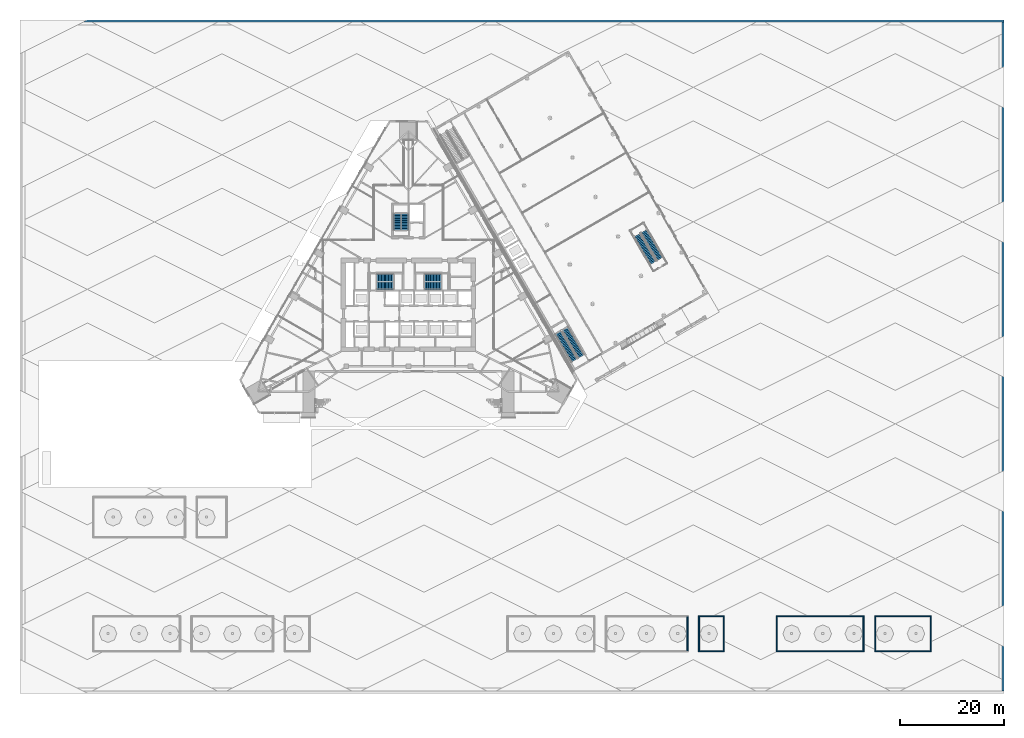
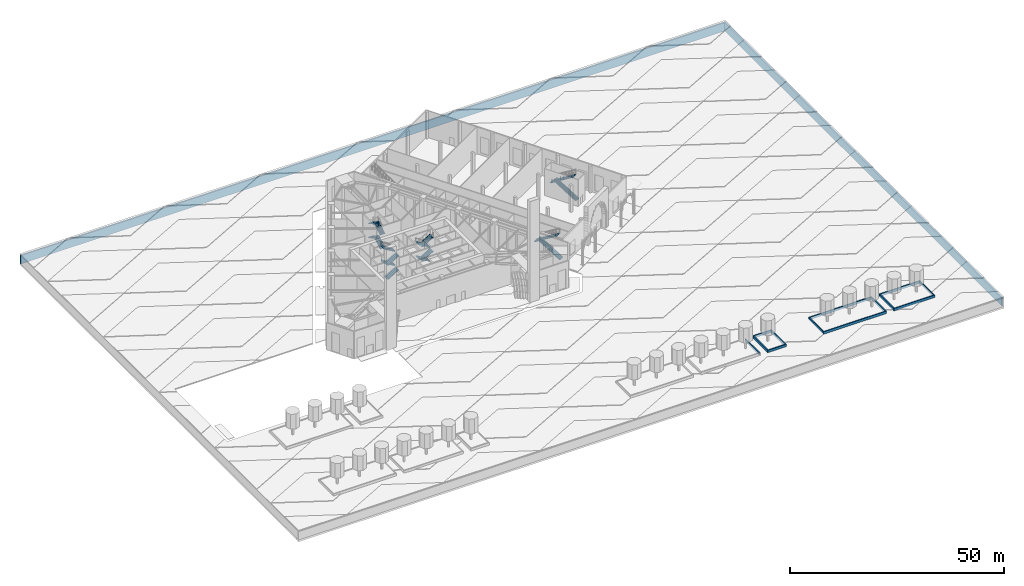
# One storey, part 20 of 34: 16 stair flights, 15 walls, 5 elements without a shape of their own.
"""IFC4 building model written with IfcOpenShell, lengths in metres."""

from ifc_helpers import new_model, si_unit, direction, frame, frame_2d, origin, place, context, subcontext, project, spatial, polyline, rectangle, outline, extrude, material, layer, layer_set, type_object, element, aggregate, save


model = new_model("IFC4")

# Units and contexts
model_context = context("Model", 3, precision=1e-05, world=origin(), true_north=direction((0.0, 1.0)))
body_context = subcontext(model_context, "Body", "Model", "MODEL_VIEW")
ifc_project = project(units=[si_unit("LENGTHUNIT", "METRE"), si_unit("AREAUNIT", "SQUARE_METRE"), si_unit("VOLUMEUNIT", "CUBIC_METRE"), si_unit("PLANEANGLEUNIT", "RADIAN"), si_unit("MASSUNIT", "GRAM", prefix="KILO")], contexts=[model_context])

# Site, building, storey
site_placement = place(None, origin())
site = spatial("IfcSite", under=ifc_project, at=site_placement, CompositionType="ELEMENT")
building_placement = place(site_placement, origin())
building = spatial("IfcBuilding", under=site, at=building_placement, Name="Firuza Gate Tower and Library", CompositionType="ELEMENT")
storey_placement = place(building_placement, origin())
storey = spatial("IfcBuildingStorey", under=building, at=storey_placement, Name="L00", CompositionType="ELEMENT", Elevation=0.0)

# Walls
ifc_material_1 = material(Name="Concrete C30/37", Category="concrete")
ifc_layer_1 = layer(ifc_material_1, 0.25)
ifc_layer_set_1 = layer_set([ifc_layer_1], Name="Planter rim wall 250")
wall_type_1 = type_object("IfcWallType", Name="Planter rim wall 250", PredefinedType="SOLIDWALL", material=ifc_layer_set_1)
wall_1_placement = place(storey_placement, frame((128.875, 8.25, -0.14990234375), z_axis=(0.0, 0.0, 1.0), x_axis=(0.0, 1.0, 0.0)))
element("IfcWall", 1, at=wall_1_placement, inside=storey, type_object=wall_type_1, Name="Planter rim wall 5", PredefinedType="SOLIDWALL", context=body_context, shape_type="SweptSolid", body=[
    extrude(rectangle(XDim=6.5, YDim=0.25, at=frame_2d((3.25, 0.0))), origin(), (0.0, 0.0, 1.0), 0.699951171875),
])
for number, where, z_axis, x_axis, name in (
    (2, (131.0, 8.125, -0.14990234375), (0.0, 0.0, 1.0), (1.0, 0.0, 0.0), "Planter rim wall 6"),
    (3, (131.0, 14.875, -0.14990234375), (0.0, 0.0, 1.0), (1.0, 0.0, 0.0), "Planter rim wall 6"),
):
    element("IfcWall", number, at=place(storey_placement, frame(where, z_axis=z_axis, x_axis=x_axis)), inside=storey, type_object=wall_type_1, Name=name, PredefinedType="SOLIDWALL", context=body_context, shape_type="SweptSolid", body=[
        extrude(rectangle(XDim=5.0, YDim=0.25, at=frame_2d((2.5, 0.0))), origin(), (0.0, 0.0, 1.0), 0.699951171875),
    ])
for number, where, z_axis, x_axis, name in (
    (4, (131.125, 8.25, -0.14990234375), (0.0, 0.0, 1.0), (0.0, 1.0, 0.0), "Planter rim wall 6"),
    (5, (135.875, 8.25, -0.14990234375), (0.0, 0.0, 1.0), (0.0, 1.0, 0.0), "Planter rim wall 6"),
):
    element("IfcWall", number, at=place(storey_placement, frame(where, z_axis=z_axis, x_axis=x_axis)), inside=storey, type_object=wall_type_1, Name=name, PredefinedType="SOLIDWALL", context=body_context, shape_type="SweptSolid", body=[
        extrude(rectangle(XDim=6.5, YDim=0.25, at=frame_2d((3.25, 0.0))), origin(), (0.0, 0.0, 1.0), 0.699951171875),
    ])
for number, where, z_axis, x_axis, name in (
    (6, (146.0, 8.125, -0.14990234375), (0.0, 0.0, 1.0), (1.0, 0.0, 0.0), "Planter rim wall 7"),
    (7, (146.0, 14.875, -0.14990234375), (0.0, 0.0, 1.0), (1.0, 0.0, 0.0), "Planter rim wall 7"),
):
    element("IfcWall", number, at=place(storey_placement, frame(where, z_axis=z_axis, x_axis=x_axis)), inside=storey, type_object=wall_type_1, Name=name, PredefinedType="SOLIDWALL", context=body_context, shape_type="SweptSolid", body=[
        extrude(rectangle(XDim=17.0, YDim=0.25, at=frame_2d((8.5, 0.0))), origin(), (0.0, 0.0, 1.0), 0.699951171875),
    ])
for number, where, z_axis, x_axis, name in (
    (8, (146.125, 8.25, -0.14990234375), (0.0, 0.0, 1.0), (0.0, 1.0, 0.0), "Planter rim wall 7"),
    (9, (162.875, 8.25, -0.14990234375), (0.0, 0.0, 1.0), (0.0, 1.0, 0.0), "Planter rim wall 7"),
):
    element("IfcWall", number, at=place(storey_placement, frame(where, z_axis=z_axis, x_axis=x_axis)), inside=storey, type_object=wall_type_1, Name=name, PredefinedType="SOLIDWALL", context=body_context, shape_type="SweptSolid", body=[
        extrude(rectangle(XDim=6.5, YDim=0.25, at=frame_2d((3.25, 0.0))), origin(), (0.0, 0.0, 1.0), 0.699951171875),
    ])
for number, where, z_axis, x_axis, name in (
    (10, (165.0, 8.125, -0.14990234375), (0.0, 0.0, 1.0), (1.0, 0.0, 0.0), "Planter rim wall 8"),
    (11, (165.0, 14.875, -0.14990234375), (0.0, 0.0, 1.0), (1.0, 0.0, 0.0), "Planter rim wall 8"),
):
    element("IfcWall", number, at=place(storey_placement, frame(where, z_axis=z_axis, x_axis=x_axis)), inside=storey, type_object=wall_type_1, Name=name, PredefinedType="SOLIDWALL", context=body_context, shape_type="SweptSolid", body=[
        extrude(rectangle(XDim=11.0, YDim=0.25, at=frame_2d((5.5, 0.0))), origin(), (0.0, 0.0, 1.0), 0.699951171875),
    ])
for number, where, z_axis, x_axis, name in (
    (12, (165.125, 8.25, -0.14990234375), (0.0, 0.0, 1.0), (0.0, 1.0, 0.0), "Planter rim wall 8"),
    (13, (175.875, 8.25, -0.14990234375), (0.0, 0.0, 1.0), (0.0, 1.0, 0.0), "Planter rim wall 8"),
):
    element("IfcWall", number, at=place(storey_placement, frame(where, z_axis=z_axis, x_axis=x_axis)), inside=storey, type_object=wall_type_1, Name=name, PredefinedType="SOLIDWALL", context=body_context, shape_type="SweptSolid", body=[
        extrude(rectangle(XDim=6.5, YDim=0.25, at=frame_2d((3.25, 0.0))), origin(), (0.0, 0.0, 1.0), 0.699951171875),
    ])
ifc_material_2 = material(Name="Concrete C40/50", Category="concrete")
ifc_layer_2 = layer(ifc_material_2, 0.39990234375)
ifc_layer_set_2 = layer_set([ifc_layer_2], Name="Plaza edge retaining wall 400 C40/50")
wall_type_2 = type_object("IfcWallType", Name="Plaza edge retaining wall 400 C40/50", PredefinedType="SOLIDWALL", material=ifc_layer_set_2)
wall_2_placement = place(storey_placement, frame((189.800048828125, 0.39990234375, -2.75), z_axis=(0.0, 0.0, 1.0), x_axis=(0.0, 1.0, 0.0)))
element("IfcWall", 14, at=wall_2_placement, inside=storey, type_object=wall_type_2, Name="Plaza edge retaining wall", PredefinedType="SOLIDWALL", context=body_context, shape_type="SweptSolid", body=[
    extrude(rectangle(XDim=129.2001953125, YDim=0.39990234375, at=frame_2d((64.60009765625, 0.0))), origin(), (0.0, 0.0, 1.0), 2.39990234375),
])
wall_3_placement = place(storey_placement, frame((190.0, 129.800048828125, -2.75), z_axis=(0.0, 0.0, 1.0), x_axis=(-1.0, 0.0, 0.0)))
element("IfcWall", 15, at=wall_3_placement, inside=storey, type_object=wall_type_2, Name="Plaza edge retaining wall", PredefinedType="SOLIDWALL", context=body_context, shape_type="SweptSolid", body=[
    extrude(rectangle(XDim=190.0, YDim=0.39990234375, at=frame_2d((95.0, 0.0))), origin(), (0.0, 0.0, 1.0), 2.39990234375),
])

# Stair, stair flights
ifc_material_3 = material(Name="Concrete C40/50", Category="concrete")
stair_type_1 = type_object("IfcStairType", Name="LIB STAIR", PredefinedType="HALF_TURN_STAIR", material=ifc_material_3)
placement = place(storey_placement, origin())
stair_1 = element("IfcStair", 16, at=placement, inside=storey, type_object=stair_type_1, Name="L00 Exit stair B", PredefinedType="HALF_TURN_STAIR")
ifc_material_4 = material(Name="Concrete C40/50", Category="concrete")
stair_flight_type_1 = type_object("IfcStairFlightType", Name="LIB STAIR FLIGHT", PredefinedType="STRAIGHT", material=ifc_material_4)
stair_flight_1_placement = place(storey_placement, frame((108.3779296875, 65.056884765625, 0.0), z_axis=(0.0, 0.0, 1.0), x_axis=(-0.5, 0.866025403784, 0.0)))
stair_flight_1 = element("IfcStairFlight", 17, at=stair_flight_1_placement, type_object=stair_flight_type_1, Name="LIB-ST-B flight 1", NumberOfRisers=23, NumberOfTreads=22, PredefinedType="STRAIGHT", RiserHeight=0.173913043, TreadLength=0.28, context=body_context, shape_type="SweptSolid", body=[
    extrude(outline(polyline([(0.0, 0.0), (0.0, 0.173828125), (0.280029296875, 0.173828125), (0.280029296875, 0.347900390625), (0.56005859375, 0.347900390625), (0.56005859375, 0.521728515625), (0.840087890625, 0.521728515625), (0.840087890625, 0.695556640625), (1.1201171875, 0.695556640625), (1.1201171875, 0.86962890625), (1.39990234375, 0.86962890625), (1.39990234375, 1.04345703125), (1.679931640625, 1.04345703125), (1.679931640625, 1.21728515625), (1.9599609375, 1.21728515625), (1.9599609375, 1.391357421875), (2.239990234375, 1.391357421875), (2.239990234375, 1.565185546875), (2.52001953125, 1.565185546875), (2.52001953125, 1.739013671875), (2.800048828125, 1.739013671875), (2.800048828125, 1.9130859375), (3.080078125, 1.9130859375), (3.080078125, 2.0869140625), (3.360107421875, 2.0869140625), (3.360107421875, 2.260986328125), (3.639892578125, 2.260986328125), (3.639892578125, 2.434814453125), (3.919921875, 2.434814453125), (3.919921875, 2.608642578125), (4.199951171875, 2.608642578125), (4.199951171875, 2.78271484375), (4.47998046875, 2.78271484375), (4.47998046875, 2.95654296875), (4.760009765625, 2.95654296875), (4.760009765625, 3.13037109375), (5.0400390625, 3.13037109375), (5.0400390625, 3.304443359375), (5.320068359375, 3.304443359375), (5.320068359375, 3.478271484375), (5.60009765625, 3.478271484375), (5.60009765625, 3.652099609375), (5.8798828125, 3.652099609375), (5.8798828125, 3.826171875), (6.159912109375, 3.826171875), (6.159912109375, 4.0), (6.159912109375, 3.649658203125), (0.2841796875, 0.0), (0.0, 0.0)])), frame((0.0, 0.699951171875, 0.0), z_axis=(0.0, -1.0, 0.0), x_axis=(1.0, 0.0, 0.0)), (0.0, 0.0, 1.0), 1.39990234375),
])
stair_flight_2_placement = place(storey_placement, frame((103.95556640625, 69.616455078125, 4.0), z_axis=(0.0, 0.0, 1.0), x_axis=(0.5, -0.866025403784, 0.0)))
stair_flight_2 = element("IfcStairFlight", 18, at=stair_flight_2_placement, type_object=stair_flight_type_1, Name="LIB-ST-B flight 2", NumberOfRisers=23, NumberOfTreads=22, PredefinedType="STRAIGHT", RiserHeight=0.173913043, TreadLength=0.28, context=body_context, shape_type="SweptSolid", body=[
    extrude(outline(polyline([(0.0, 0.0), (0.0, 0.173828125), (0.280029296875, 0.173828125), (0.280029296875, 0.347900390625), (0.56005859375, 0.347900390625), (0.56005859375, 0.521728515625), (0.840087890625, 0.521728515625), (0.840087890625, 0.695556640625), (1.1201171875, 0.695556640625), (1.1201171875, 0.86962890625), (1.39990234375, 0.86962890625), (1.39990234375, 1.04345703125), (1.679931640625, 1.04345703125), (1.679931640625, 1.21728515625), (1.9599609375, 1.21728515625), (1.9599609375, 1.391357421875), (2.239990234375, 1.391357421875), (2.239990234375, 1.565185546875), (2.52001953125, 1.565185546875), (2.52001953125, 1.739013671875), (2.800048828125, 1.739013671875), (2.800048828125, 1.9130859375), (3.080078125, 1.9130859375), (3.080078125, 2.0869140625), (3.360107421875, 2.0869140625), (3.360107421875, 2.260986328125), (3.639892578125, 2.260986328125), (3.639892578125, 2.434814453125), (3.919921875, 2.434814453125), (3.919921875, 2.608642578125), (4.199951171875, 2.608642578125), (4.199951171875, 2.78271484375), (4.47998046875, 2.78271484375), (4.47998046875, 2.95654296875), (4.760009765625, 2.95654296875), (4.760009765625, 3.13037109375), (5.0400390625, 3.13037109375), (5.0400390625, 3.304443359375), (5.320068359375, 3.304443359375), (5.320068359375, 3.478271484375), (5.60009765625, 3.478271484375), (5.60009765625, 3.652099609375), (5.8798828125, 3.652099609375), (5.8798828125, 3.826171875), (6.159912109375, 3.826171875), (6.159912109375, 4.0), (6.159912109375, 3.649658203125), (0.2841796875, 0.0), (0.0, 0.0)])), frame((0.0, 0.699951171875, 0.0), z_axis=(0.0, -1.0, 0.0), x_axis=(1.0, 0.0, 0.0)), (0.0, 0.0, 1.0), 1.39990234375),
])
aggregate(stair_1, [stair_flight_1, stair_flight_2])

stair_2 = element("IfcStair", 19, at=placement, inside=storey, type_object=stair_type_1, Name="L00 Feature stair", PredefinedType="HALF_TURN_STAIR")
stair_flight_3_placement = place(storey_placement, frame((123.60009765625, 83.891357421875, 0.0), z_axis=(0.0, 0.0, 1.0), x_axis=(-0.5, 0.866025403784, 0.0)))
stair_flight_3 = element("IfcStairFlight", 20, at=stair_flight_3_placement, type_object=stair_flight_type_1, Name="LIB-ST-C flight 1", NumberOfRisers=23, NumberOfTreads=22, PredefinedType="STRAIGHT", RiserHeight=0.173913043, TreadLength=0.28, context=body_context, shape_type="SweptSolid", body=[
    extrude(outline(polyline([(0.0, 0.0), (0.0, 0.173828125), (0.280029296875, 0.173828125), (0.280029296875, 0.347900390625), (0.56005859375, 0.347900390625), (0.56005859375, 0.521728515625), (0.840087890625, 0.521728515625), (0.840087890625, 0.695556640625), (1.1201171875, 0.695556640625), (1.1201171875, 0.86962890625), (1.39990234375, 0.86962890625), (1.39990234375, 1.04345703125), (1.679931640625, 1.04345703125), (1.679931640625, 1.21728515625), (1.9599609375, 1.21728515625), (1.9599609375, 1.391357421875), (2.239990234375, 1.391357421875), (2.239990234375, 1.565185546875), (2.52001953125, 1.565185546875), (2.52001953125, 1.739013671875), (2.800048828125, 1.739013671875), (2.800048828125, 1.9130859375), (3.080078125, 1.9130859375), (3.080078125, 2.0869140625), (3.360107421875, 2.0869140625), (3.360107421875, 2.260986328125), (3.639892578125, 2.260986328125), (3.639892578125, 2.434814453125), (3.919921875, 2.434814453125), (3.919921875, 2.608642578125), (4.199951171875, 2.608642578125), (4.199951171875, 2.78271484375), (4.47998046875, 2.78271484375), (4.47998046875, 2.95654296875), (4.760009765625, 2.95654296875), (4.760009765625, 3.13037109375), (5.0400390625, 3.13037109375), (5.0400390625, 3.304443359375), (5.320068359375, 3.304443359375), (5.320068359375, 3.478271484375), (5.60009765625, 3.478271484375), (5.60009765625, 3.652099609375), (5.8798828125, 3.652099609375), (5.8798828125, 3.826171875), (6.159912109375, 3.826171875), (6.159912109375, 4.0), (6.159912109375, 3.649658203125), (0.2841796875, 0.0), (0.0, 0.0)])), frame((0.0, 0.699951171875, 0.0), z_axis=(0.0, -1.0, 0.0), x_axis=(1.0, 0.0, 0.0)), (0.0, 0.0, 1.0), 1.39990234375),
])
stair_flight_4_placement = place(storey_placement, frame((119.177734375, 88.450927734375, 4.0), z_axis=(0.0, 0.0, 1.0), x_axis=(0.5, -0.866025403784, 0.0)))
stair_flight_4 = element("IfcStairFlight", 21, at=stair_flight_4_placement, type_object=stair_flight_type_1, Name="LIB-ST-C flight 2", NumberOfRisers=23, NumberOfTreads=22, PredefinedType="STRAIGHT", RiserHeight=0.173913043, TreadLength=0.28, context=body_context, shape_type="SweptSolid", body=[
    extrude(outline(polyline([(0.0, 0.0), (0.0, 0.173828125), (0.280029296875, 0.173828125), (0.280029296875, 0.347900390625), (0.56005859375, 0.347900390625), (0.56005859375, 0.521728515625), (0.840087890625, 0.521728515625), (0.840087890625, 0.695556640625), (1.1201171875, 0.695556640625), (1.1201171875, 0.86962890625), (1.39990234375, 0.86962890625), (1.39990234375, 1.04345703125), (1.679931640625, 1.04345703125), (1.679931640625, 1.21728515625), (1.9599609375, 1.21728515625), (1.9599609375, 1.391357421875), (2.239990234375, 1.391357421875), (2.239990234375, 1.565185546875), (2.52001953125, 1.565185546875), (2.52001953125, 1.739013671875), (2.800048828125, 1.739013671875), (2.800048828125, 1.9130859375), (3.080078125, 1.9130859375), (3.080078125, 2.0869140625), (3.360107421875, 2.0869140625), (3.360107421875, 2.260986328125), (3.639892578125, 2.260986328125), (3.639892578125, 2.434814453125), (3.919921875, 2.434814453125), (3.919921875, 2.608642578125), (4.199951171875, 2.608642578125), (4.199951171875, 2.78271484375), (4.47998046875, 2.78271484375), (4.47998046875, 2.95654296875), (4.760009765625, 2.95654296875), (4.760009765625, 3.13037109375), (5.0400390625, 3.13037109375), (5.0400390625, 3.304443359375), (5.320068359375, 3.304443359375), (5.320068359375, 3.478271484375), (5.60009765625, 3.478271484375), (5.60009765625, 3.652099609375), (5.8798828125, 3.652099609375), (5.8798828125, 3.826171875), (6.159912109375, 3.826171875), (6.159912109375, 4.0), (6.159912109375, 3.649658203125), (0.2841796875, 0.0), (0.0, 0.0)])), frame((0.0, 0.699951171875, 0.0), z_axis=(0.0, -1.0, 0.0), x_axis=(1.0, 0.0, 0.0)), (0.0, 0.0, 1.0), 1.39990234375),
])
aggregate(stair_2, [stair_flight_3, stair_flight_4])

ifc_material_5 = material(Name="Concrete C35/45", Category="concrete")
stair_type_2 = type_object("IfcStairType", Name="Exit stair ST12", PredefinedType="HALF_TURN_STAIR", material=ifc_material_5)
stair_3 = element("IfcStair", 22, at=placement, inside=storey, type_object=stair_type_2, Name="L00 Stair ST3", PredefinedType="HALF_TURN_STAIR")
ifc_material_6 = material(Name="Concrete C35/45", Category="concrete")
stair_flight_type_2 = type_object("IfcStairFlightType", Name="Stair flight 12 risers 166.7 width 1370", PredefinedType="STRAIGHT", material=ifc_material_6)
stair_flight_5_placement = place(storey_placement, frame((74.31494140625, 89.469970703125, 0.0), z_axis=(0.0, 0.0, 1.0), x_axis=(0.0, 1.0, 0.0)))
stair_flight_5 = element("IfcStairFlight", 23, at=stair_flight_5_placement, type_object=stair_flight_type_2, Name="ST3 flight 1", NumberOfRisers=12, NumberOfTreads=11, PredefinedType="STRAIGHT", RiserHeight=0.166666667, TreadLength=0.28, context=body_context, shape_type="SweptSolid", body=[
    extrude(outline(polyline([(0.0, 0.0), (0.0, 0.166748046875), (0.280029296875, 0.166748046875), (0.280029296875, 0.333251953125), (0.56005859375, 0.333251953125), (0.56005859375, 0.5), (0.840087890625, 0.5), (0.840087890625, 0.666748046875), (1.1201171875, 0.666748046875), (1.1201171875, 0.833251953125), (1.39990234375, 0.833251953125), (1.39990234375, 1.0), (1.679931640625, 1.0), (1.679931640625, 1.166748046875), (1.9599609375, 1.166748046875), (1.9599609375, 1.333251953125), (2.239990234375, 1.333251953125), (2.239990234375, 1.5), (2.52001953125, 1.5), (2.52001953125, 1.666748046875), (2.800048828125, 1.666748046875), (2.800048828125, 1.833251953125), (3.080078125, 1.833251953125), (3.080078125, 2.0), (3.080078125, 1.658935546875), (0.29296875, 0.0), (0.0, 0.0)])), frame((0.0, 0.68505859375, 0.0), z_axis=(0.0, -1.0, 0.0), x_axis=(1.0, 0.0, 0.0)), (0.0, 0.0, 1.0), 1.3701171875),
])
stair_flight_6_placement = place(storey_placement, frame((72.844970703125, 92.550048828125, 2.0), z_axis=(0.0, 0.0, 1.0), x_axis=(0.0, -1.0, 0.0)))
stair_flight_6 = element("IfcStairFlight", 24, at=stair_flight_6_placement, type_object=stair_flight_type_2, Name="ST3 flight 2", NumberOfRisers=12, NumberOfTreads=11, PredefinedType="STRAIGHT", RiserHeight=0.166666667, TreadLength=0.28, context=body_context, shape_type="SweptSolid", body=[
    extrude(outline(polyline([(0.0, 0.0), (0.0, 0.166748046875), (0.280029296875, 0.166748046875), (0.280029296875, 0.333251953125), (0.56005859375, 0.333251953125), (0.56005859375, 0.5), (0.840087890625, 0.5), (0.840087890625, 0.666748046875), (1.1201171875, 0.666748046875), (1.1201171875, 0.833251953125), (1.39990234375, 0.833251953125), (1.39990234375, 1.0), (1.679931640625, 1.0), (1.679931640625, 1.166748046875), (1.9599609375, 1.166748046875), (1.9599609375, 1.333251953125), (2.239990234375, 1.333251953125), (2.239990234375, 1.5), (2.52001953125, 1.5), (2.52001953125, 1.666748046875), (2.800048828125, 1.666748046875), (2.800048828125, 1.833251953125), (3.080078125, 1.833251953125), (3.080078125, 2.0), (3.080078125, 1.658935546875), (0.29296875, 0.0), (0.0, 0.0)])), frame((0.0, 0.68505859375, 0.0), z_axis=(0.0, -1.0, 0.0), x_axis=(1.0, 0.0, 0.0)), (0.0, 0.0, 1.0), 1.3701171875),
])
stair_flight_7_placement = place(storey_placement, frame((74.31494140625, 89.469970703125, 4.0), z_axis=(0.0, 0.0, 1.0), x_axis=(0.0, 1.0, 0.0)))
stair_flight_7 = element("IfcStairFlight", 25, at=stair_flight_7_placement, type_object=stair_flight_type_2, Name="ST3 flight 3", NumberOfRisers=12, NumberOfTreads=11, PredefinedType="STRAIGHT", RiserHeight=0.166666667, TreadLength=0.28, context=body_context, shape_type="SweptSolid", body=[
    extrude(outline(polyline([(0.0, 0.0), (0.0, 0.166748046875), (0.280029296875, 0.166748046875), (0.280029296875, 0.333251953125), (0.56005859375, 0.333251953125), (0.56005859375, 0.5), (0.840087890625, 0.5), (0.840087890625, 0.666748046875), (1.1201171875, 0.666748046875), (1.1201171875, 0.833251953125), (1.39990234375, 0.833251953125), (1.39990234375, 1.0), (1.679931640625, 1.0), (1.679931640625, 1.166748046875), (1.9599609375, 1.166748046875), (1.9599609375, 1.333251953125), (2.239990234375, 1.333251953125), (2.239990234375, 1.5), (2.52001953125, 1.5), (2.52001953125, 1.666748046875), (2.800048828125, 1.666748046875), (2.800048828125, 1.833251953125), (3.080078125, 1.833251953125), (3.080078125, 2.0), (3.080078125, 1.658935546875), (0.29296875, 0.0), (0.0, 0.0)])), frame((0.0, 0.68505859375, 0.0), z_axis=(0.0, -1.0, 0.0), x_axis=(1.0, 0.0, 0.0)), (0.0, 0.0, 1.0), 1.3701171875),
])
stair_flight_8_placement = place(storey_placement, frame((72.844970703125, 92.550048828125, 6.0), z_axis=(0.0, 0.0, 1.0), x_axis=(0.0, -1.0, 0.0)))
stair_flight_8 = element("IfcStairFlight", 26, at=stair_flight_8_placement, type_object=stair_flight_type_2, Name="ST3 flight 4", NumberOfRisers=12, NumberOfTreads=11, PredefinedType="STRAIGHT", RiserHeight=0.166666667, TreadLength=0.28, context=body_context, shape_type="SweptSolid", body=[
    extrude(outline(polyline([(0.0, 0.0), (0.0, 0.166748046875), (0.280029296875, 0.166748046875), (0.280029296875, 0.333251953125), (0.56005859375, 0.333251953125), (0.56005859375, 0.5), (0.840087890625, 0.5), (0.840087890625, 0.666748046875), (1.1201171875, 0.666748046875), (1.1201171875, 0.833251953125), (1.39990234375, 0.833251953125), (1.39990234375, 1.0), (1.679931640625, 1.0), (1.679931640625, 1.166748046875), (1.9599609375, 1.166748046875), (1.9599609375, 1.333251953125), (2.239990234375, 1.333251953125), (2.239990234375, 1.5), (2.52001953125, 1.5), (2.52001953125, 1.666748046875), (2.800048828125, 1.666748046875), (2.800048828125, 1.833251953125), (3.080078125, 1.833251953125), (3.080078125, 2.0), (3.080078125, 1.658935546875), (0.29296875, 0.0), (0.0, 0.0)])), frame((0.0, 0.68505859375, 0.0), z_axis=(0.0, -1.0, 0.0), x_axis=(1.0, 0.0, 0.0)), (0.0, 0.0, 1.0), 1.3701171875),
])
aggregate(stair_3, [stair_flight_5, stair_flight_6, stair_flight_7, stair_flight_8])

ifc_material_7 = material(Name="Concrete C35/45", Category="concrete")
stair_type_3 = type_object("IfcStairType", Name="Exit stair ST3", PredefinedType="HALF_TURN_STAIR", material=ifc_material_7)
stair_4 = element("IfcStair", 27, at=placement, inside=storey, type_object=stair_type_3, Name="L00 Stair ST1", PredefinedType="HALF_TURN_STAIR")
ifc_material_8 = material(Name="Concrete C35/45", Category="concrete")
stair_flight_type_3 = type_object("IfcStairFlightType", Name="Stair flight 12 risers 166.7 width 1490", PredefinedType="STRAIGHT", material=ifc_material_8)
stair_flight_9_placement = place(storey_placement, frame((68.93994140625, 78.64501953125, 0.0), z_axis=(0.0, 0.0, 1.0), x_axis=(1.0, 0.0, 0.0)))
stair_flight_9 = element("IfcStairFlight", 28, at=stair_flight_9_placement, type_object=stair_flight_type_3, Name="ST1 flight 1", NumberOfRisers=12, NumberOfTreads=11, PredefinedType="STRAIGHT", RiserHeight=0.166666667, TreadLength=0.28, context=body_context, shape_type="SweptSolid", body=[
    extrude(outline(polyline([(0.0, 0.0), (0.0, 0.166748046875), (0.280029296875, 0.166748046875), (0.280029296875, 0.333251953125), (0.56005859375, 0.333251953125), (0.56005859375, 0.5), (0.840087890625, 0.5), (0.840087890625, 0.666748046875), (1.1201171875, 0.666748046875), (1.1201171875, 0.833251953125), (1.39990234375, 0.833251953125), (1.39990234375, 1.0), (1.679931640625, 1.0), (1.679931640625, 1.166748046875), (1.9599609375, 1.166748046875), (1.9599609375, 1.333251953125), (2.239990234375, 1.333251953125), (2.239990234375, 1.5), (2.52001953125, 1.5), (2.52001953125, 1.666748046875), (2.800048828125, 1.666748046875), (2.800048828125, 1.833251953125), (3.080078125, 1.833251953125), (3.080078125, 2.0), (3.080078125, 1.658935546875), (0.29296875, 0.0), (0.0, 0.0)])), frame((0.0, 0.7451171875, 0.0), z_axis=(0.0, -1.0, 0.0), x_axis=(1.0, 0.0, 0.0)), (0.0, 0.0, 1.0), 1.489990234375),
])
stair_flight_10_placement = place(storey_placement, frame((72.02001953125, 80.235107421875, 2.0), z_axis=(0.0, 0.0, 1.0), x_axis=(-1.0, 0.0, 0.0)))
stair_flight_10 = element("IfcStairFlight", 29, at=stair_flight_10_placement, type_object=stair_flight_type_3, Name="ST1 flight 2", NumberOfRisers=12, NumberOfTreads=11, PredefinedType="STRAIGHT", RiserHeight=0.166666667, TreadLength=0.28, context=body_context, shape_type="SweptSolid", body=[
    extrude(outline(polyline([(0.0, 0.0), (0.0, 0.166748046875), (0.280029296875, 0.166748046875), (0.280029296875, 0.333251953125), (0.56005859375, 0.333251953125), (0.56005859375, 0.5), (0.840087890625, 0.5), (0.840087890625, 0.666748046875), (1.1201171875, 0.666748046875), (1.1201171875, 0.833251953125), (1.39990234375, 0.833251953125), (1.39990234375, 1.0), (1.679931640625, 1.0), (1.679931640625, 1.166748046875), (1.9599609375, 1.166748046875), (1.9599609375, 1.333251953125), (2.239990234375, 1.333251953125), (2.239990234375, 1.5), (2.52001953125, 1.5), (2.52001953125, 1.666748046875), (2.800048828125, 1.666748046875), (2.800048828125, 1.833251953125), (3.080078125, 1.833251953125), (3.080078125, 2.0), (3.080078125, 1.658935546875), (0.29296875, 0.0), (0.0, 0.0)])), frame((0.0, 0.7451171875, 0.0), z_axis=(0.0, -1.0, 0.0), x_axis=(1.0, 0.0, 0.0)), (0.0, 0.0, 1.0), 1.489990234375),
])
stair_flight_11_placement = place(storey_placement, frame((68.93994140625, 78.64501953125, 4.0), z_axis=(0.0, 0.0, 1.0), x_axis=(1.0, 0.0, 0.0)))
stair_flight_11 = element("IfcStairFlight", 30, at=stair_flight_11_placement, type_object=stair_flight_type_3, Name="ST1 flight 3", NumberOfRisers=12, NumberOfTreads=11, PredefinedType="STRAIGHT", RiserHeight=0.166666667, TreadLength=0.28, context=body_context, shape_type="SweptSolid", body=[
    extrude(outline(polyline([(0.0, 0.0), (0.0, 0.166748046875), (0.280029296875, 0.166748046875), (0.280029296875, 0.333251953125), (0.56005859375, 0.333251953125), (0.56005859375, 0.5), (0.840087890625, 0.5), (0.840087890625, 0.666748046875), (1.1201171875, 0.666748046875), (1.1201171875, 0.833251953125), (1.39990234375, 0.833251953125), (1.39990234375, 1.0), (1.679931640625, 1.0), (1.679931640625, 1.166748046875), (1.9599609375, 1.166748046875), (1.9599609375, 1.333251953125), (2.239990234375, 1.333251953125), (2.239990234375, 1.5), (2.52001953125, 1.5), (2.52001953125, 1.666748046875), (2.800048828125, 1.666748046875), (2.800048828125, 1.833251953125), (3.080078125, 1.833251953125), (3.080078125, 2.0), (3.080078125, 1.658935546875), (0.29296875, 0.0), (0.0, 0.0)])), frame((0.0, 0.7451171875, 0.0), z_axis=(0.0, -1.0, 0.0), x_axis=(1.0, 0.0, 0.0)), (0.0, 0.0, 1.0), 1.489990234375),
])
stair_flight_12_placement = place(storey_placement, frame((72.02001953125, 80.235107421875, 6.0), z_axis=(0.0, 0.0, 1.0), x_axis=(-1.0, 0.0, 0.0)))
stair_flight_12 = element("IfcStairFlight", 31, at=stair_flight_12_placement, type_object=stair_flight_type_3, Name="ST1 flight 4", NumberOfRisers=12, NumberOfTreads=11, PredefinedType="STRAIGHT", RiserHeight=0.166666667, TreadLength=0.28, context=body_context, shape_type="SweptSolid", body=[
    extrude(outline(polyline([(0.0, 0.0), (0.0, 0.166748046875), (0.280029296875, 0.166748046875), (0.280029296875, 0.333251953125), (0.56005859375, 0.333251953125), (0.56005859375, 0.5), (0.840087890625, 0.5), (0.840087890625, 0.666748046875), (1.1201171875, 0.666748046875), (1.1201171875, 0.833251953125), (1.39990234375, 0.833251953125), (1.39990234375, 1.0), (1.679931640625, 1.0), (1.679931640625, 1.166748046875), (1.9599609375, 1.166748046875), (1.9599609375, 1.333251953125), (2.239990234375, 1.333251953125), (2.239990234375, 1.5), (2.52001953125, 1.5), (2.52001953125, 1.666748046875), (2.800048828125, 1.666748046875), (2.800048828125, 1.833251953125), (3.080078125, 1.833251953125), (3.080078125, 2.0), (3.080078125, 1.658935546875), (0.29296875, 0.0), (0.0, 0.0)])), frame((0.0, 0.7451171875, 0.0), z_axis=(0.0, -1.0, 0.0), x_axis=(1.0, 0.0, 0.0)), (0.0, 0.0, 1.0), 1.489990234375),
])
aggregate(stair_4, [stair_flight_9, stair_flight_10, stair_flight_11, stair_flight_12])

stair_5 = element("IfcStair", 32, at=placement, inside=storey, type_object=stair_type_3, Name="L00 Stair ST2", PredefinedType="HALF_TURN_STAIR")
stair_flight_13_placement = place(storey_placement, frame((81.260009765625, 80.235107421875, 0.0), z_axis=(0.0, 0.0, 1.0), x_axis=(-1.0, 0.0, 0.0)))
stair_flight_13 = element("IfcStairFlight", 33, at=stair_flight_13_placement, type_object=stair_flight_type_3, Name="ST2 flight 1", NumberOfRisers=12, NumberOfTreads=11, PredefinedType="STRAIGHT", RiserHeight=0.166666667, TreadLength=0.28, context=body_context, shape_type="SweptSolid", body=[
    extrude(outline(polyline([(0.0, 0.0), (0.0, 0.166748046875), (0.280029296875, 0.166748046875), (0.280029296875, 0.333251953125), (0.56005859375, 0.333251953125), (0.56005859375, 0.5), (0.840087890625, 0.5), (0.840087890625, 0.666748046875), (1.1201171875, 0.666748046875), (1.1201171875, 0.833251953125), (1.39990234375, 0.833251953125), (1.39990234375, 1.0), (1.679931640625, 1.0), (1.679931640625, 1.166748046875), (1.9599609375, 1.166748046875), (1.9599609375, 1.333251953125), (2.239990234375, 1.333251953125), (2.239990234375, 1.5), (2.52001953125, 1.5), (2.52001953125, 1.666748046875), (2.800048828125, 1.666748046875), (2.800048828125, 1.833251953125), (3.080078125, 1.833251953125), (3.080078125, 2.0), (3.080078125, 1.658935546875), (0.29296875, 0.0), (0.0, 0.0)])), frame((0.0, 0.7451171875, 0.0), z_axis=(0.0, -1.0, 0.0), x_axis=(1.0, 0.0, 0.0)), (0.0, 0.0, 1.0), 1.489990234375),
])
stair_flight_14_placement = place(storey_placement, frame((78.179931640625, 78.64501953125, 2.0), z_axis=(0.0, 0.0, 1.0), x_axis=(1.0, 0.0, 0.0)))
stair_flight_14 = element("IfcStairFlight", 34, at=stair_flight_14_placement, type_object=stair_flight_type_3, Name="ST2 flight 2", NumberOfRisers=12, NumberOfTreads=11, PredefinedType="STRAIGHT", RiserHeight=0.166666667, TreadLength=0.28, context=body_context, shape_type="SweptSolid", body=[
    extrude(outline(polyline([(0.0, 0.0), (0.0, 0.166748046875), (0.280029296875, 0.166748046875), (0.280029296875, 0.333251953125), (0.56005859375, 0.333251953125), (0.56005859375, 0.5), (0.840087890625, 0.5), (0.840087890625, 0.666748046875), (1.1201171875, 0.666748046875), (1.1201171875, 0.833251953125), (1.39990234375, 0.833251953125), (1.39990234375, 1.0), (1.679931640625, 1.0), (1.679931640625, 1.166748046875), (1.9599609375, 1.166748046875), (1.9599609375, 1.333251953125), (2.239990234375, 1.333251953125), (2.239990234375, 1.5), (2.52001953125, 1.5), (2.52001953125, 1.666748046875), (2.800048828125, 1.666748046875), (2.800048828125, 1.833251953125), (3.080078125, 1.833251953125), (3.080078125, 2.0), (3.080078125, 1.658935546875), (0.29296875, 0.0), (0.0, 0.0)])), frame((0.0, 0.7451171875, 0.0), z_axis=(0.0, -1.0, 0.0), x_axis=(1.0, 0.0, 0.0)), (0.0, 0.0, 1.0), 1.489990234375),
])
stair_flight_15_placement = place(storey_placement, frame((81.260009765625, 80.235107421875, 4.0), z_axis=(0.0, 0.0, 1.0), x_axis=(-1.0, 0.0, 0.0)))
stair_flight_15 = element("IfcStairFlight", 35, at=stair_flight_15_placement, type_object=stair_flight_type_3, Name="ST2 flight 3", NumberOfRisers=12, NumberOfTreads=11, PredefinedType="STRAIGHT", RiserHeight=0.166666667, TreadLength=0.28, context=body_context, shape_type="SweptSolid", body=[
    extrude(outline(polyline([(0.0, 0.0), (0.0, 0.166748046875), (0.280029296875, 0.166748046875), (0.280029296875, 0.333251953125), (0.56005859375, 0.333251953125), (0.56005859375, 0.5), (0.840087890625, 0.5), (0.840087890625, 0.666748046875), (1.1201171875, 0.666748046875), (1.1201171875, 0.833251953125), (1.39990234375, 0.833251953125), (1.39990234375, 1.0), (1.679931640625, 1.0), (1.679931640625, 1.166748046875), (1.9599609375, 1.166748046875), (1.9599609375, 1.333251953125), (2.239990234375, 1.333251953125), (2.239990234375, 1.5), (2.52001953125, 1.5), (2.52001953125, 1.666748046875), (2.800048828125, 1.666748046875), (2.800048828125, 1.833251953125), (3.080078125, 1.833251953125), (3.080078125, 2.0), (3.080078125, 1.658935546875), (0.29296875, 0.0), (0.0, 0.0)])), frame((0.0, 0.7451171875, 0.0), z_axis=(0.0, -1.0, 0.0), x_axis=(1.0, 0.0, 0.0)), (0.0, 0.0, 1.0), 1.489990234375),
])
stair_flight_16_placement = place(storey_placement, frame((78.179931640625, 78.64501953125, 6.0), z_axis=(0.0, 0.0, 1.0), x_axis=(1.0, 0.0, 0.0)))
stair_flight_16 = element("IfcStairFlight", 36, at=stair_flight_16_placement, type_object=stair_flight_type_3, Name="ST2 flight 4", NumberOfRisers=12, NumberOfTreads=11, PredefinedType="STRAIGHT", RiserHeight=0.166666667, TreadLength=0.28, context=body_context, shape_type="SweptSolid", body=[
    extrude(outline(polyline([(0.0, 0.0), (0.0, 0.166748046875), (0.280029296875, 0.166748046875), (0.280029296875, 0.333251953125), (0.56005859375, 0.333251953125), (0.56005859375, 0.5), (0.840087890625, 0.5), (0.840087890625, 0.666748046875), (1.1201171875, 0.666748046875), (1.1201171875, 0.833251953125), (1.39990234375, 0.833251953125), (1.39990234375, 1.0), (1.679931640625, 1.0), (1.679931640625, 1.166748046875), (1.9599609375, 1.166748046875), (1.9599609375, 1.333251953125), (2.239990234375, 1.333251953125), (2.239990234375, 1.5), (2.52001953125, 1.5), (2.52001953125, 1.666748046875), (2.800048828125, 1.666748046875), (2.800048828125, 1.833251953125), (3.080078125, 1.833251953125), (3.080078125, 2.0), (3.080078125, 1.658935546875), (0.29296875, 0.0), (0.0, 0.0)])), frame((0.0, 0.7451171875, 0.0), z_axis=(0.0, -1.0, 0.0), x_axis=(1.0, 0.0, 0.0)), (0.0, 0.0, 1.0), 1.489990234375),
])
aggregate(stair_5, [stair_flight_13, stair_flight_14, stair_flight_15, stair_flight_16])

save(model, "model.ifc")
